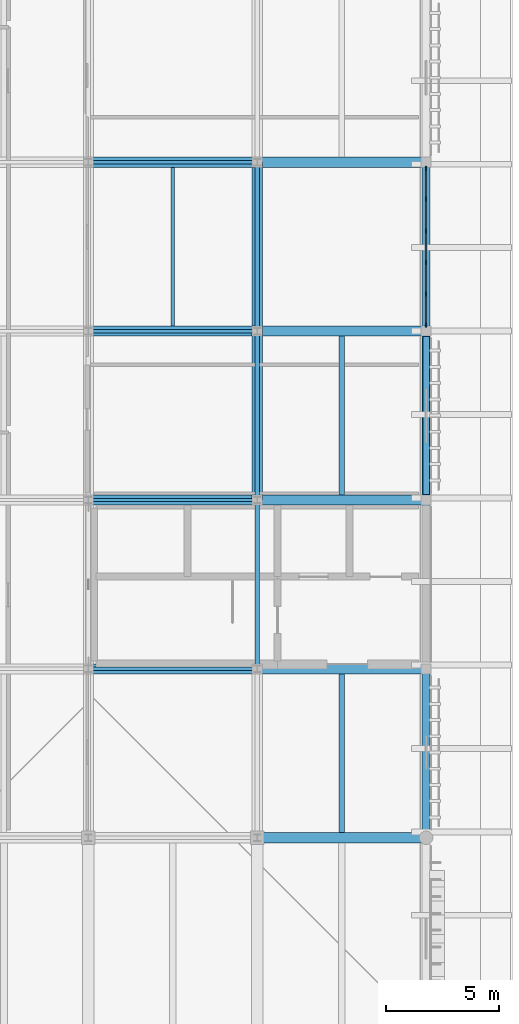
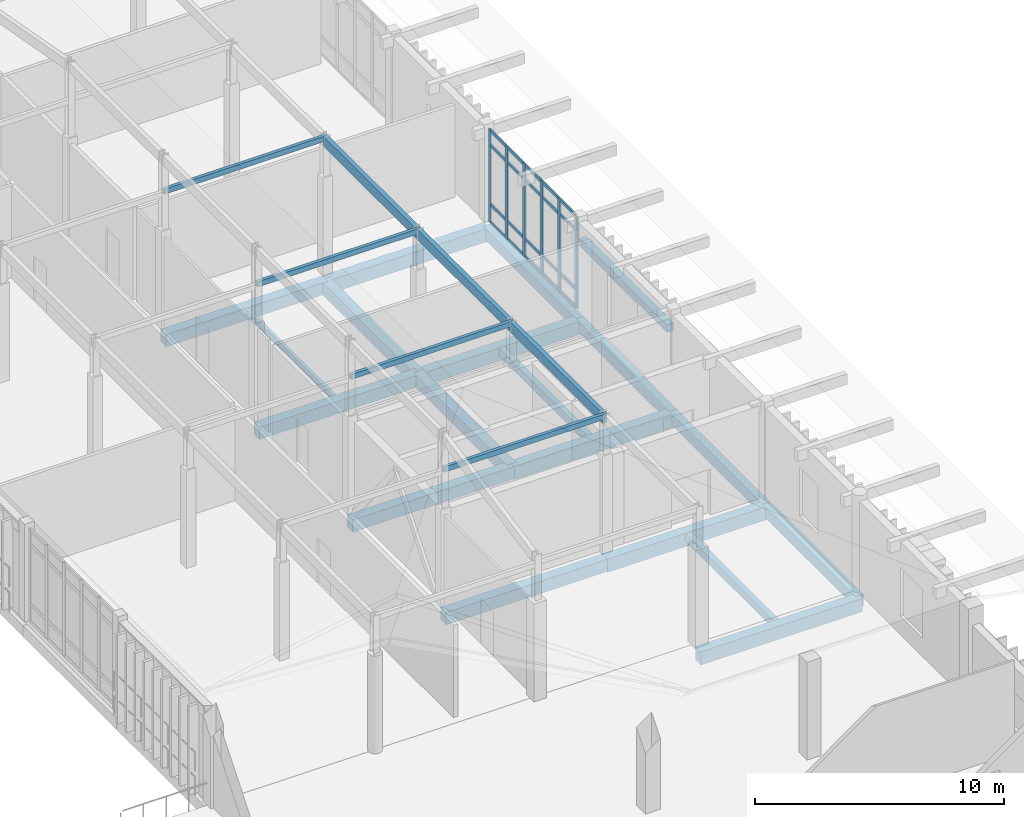
# One storey, part 68 of 131: 30 members, 22 beams, 1 element without a shape of its own.
"""IFC4 building model written with IfcOpenShell, lengths in metres."""

from ifc_helpers import new_model, si_unit, direction, frame, origin, origin_2d, place, context, subcontext, project, spatial, rectangle, hollow_rectangle, i_section, extrude, material, layer, layer_set, material_profile, profile_set, type_object, element, aggregate, save


model = new_model("IFC4")

# Units and contexts
model_context = context("Model", 3, precision=1e-05, world=origin(), true_north=direction((0.0, 1.0)))
body_context = subcontext(model_context, "Body", "Model", "MODEL_VIEW")
ifc_project = project(units=[si_unit("LENGTHUNIT", "METRE"), si_unit("AREAUNIT", "SQUARE_METRE"), si_unit("VOLUMEUNIT", "CUBIC_METRE"), si_unit("PLANEANGLEUNIT", "RADIAN"), si_unit("MASSUNIT", "GRAM", prefix="KILO")], contexts=[model_context])

# Site, building, storey
site_placement = place(None, origin())
site = spatial("IfcSite", under=ifc_project, at=site_placement, CompositionType="ELEMENT")
building_placement = place(site_placement, origin())
building = spatial("IfcBuilding", under=site, at=building_placement, Name="Dalvernix Boulevard General Hospital", CompositionType="ELEMENT")
storey_placement = place(building_placement, frame((0.0, 0.0, 9.300048828125)))
storey = spatial("IfcBuildingStorey", under=building, at=storey_placement, Name="L02", CompositionType="ELEMENT", Elevation=9.300048828125)

# Beams
ifc_material_1 = material(Name="Concrete C35/45", Category="concrete")
ifc_material_profile_1 = material_profile(ifc_material_1, rectangle(XDim=0.449951171875, YDim=0.64990234375, at=origin_2d()), Name="RCB 450x650")
ifc_profile_set_1 = profile_set([ifc_material_profile_1], Name="Concrete C35/45")
beam_type_1 = type_object("IfcBeamType", Name="BM-B-03-I", PredefinedType="BEAM", material=ifc_profile_set_1)
for number, where, z_axis, x_axis, name in (
    (1, (165.0, 31.5, -0.64501953125), (1.0, 0.0, 0.0), (0.0, 1.0, 0.0), "L02 E-W girder E:23-24"),
    (2, (165.0, 39.0, -0.64501953125), (1.0, 0.0, 0.0), (0.0, 1.0, 0.0), "L02 E-W girder F:23-24"),
    (3, (165.0, 46.5, -0.64501953125), (1.0, 0.0, 0.0), (0.0, 1.0, 0.0), "L02 E-W girder G:23-24"),
    (4, (165.0, 54.0, -0.64501953125), (1.0, 0.0, 0.0), (0.0, 1.0, 0.0), "L02 E-W girder H:23-24"),
    (5, (165.0, 61.5, -0.64501953125), (1.0, 0.0, 0.0), (0.0, 1.0, 0.0), "L02 E-W girder J:23-24"),
):
    element("IfcBeam", number, at=place(storey_placement, frame(where, z_axis=z_axis, x_axis=x_axis)), inside=storey, type_object=beam_type_1, Name=name, PredefinedType="BEAM", context=body_context, shape_type="SweptSolid", body=[
        extrude(rectangle(XDim=0.449951171875, YDim=0.64990234375, at=origin_2d()), origin(), (0.0, 0.0, 1.0), 7.5),
    ])
ifc_material_profile_2 = material_profile(ifc_material_1, rectangle(XDim=0.449951171875, YDim=0.60009765625, at=origin_2d()), Name="RCB 450x600")
ifc_profile_set_2 = profile_set([ifc_material_profile_2], Name="Concrete C35/45")
beam_type_2 = type_object("IfcBeamType", Name="BM-B-04-I", PredefinedType="BEAM", material=ifc_profile_set_2)
for number, where, z_axis, x_axis, name in (
    (6, (157.5, 39.0, -0.6201171875), (1.0, 0.0, 0.0), (0.0, 1.0, 0.0), "L02 E-W girder F:22-23"),
    (7, (157.5, 46.5, -0.6201171875), (1.0, 0.0, 0.0), (0.0, 1.0, 0.0), "L02 E-W girder G:22-23"),
    (8, (157.5, 54.0, -0.6201171875), (1.0, 0.0, 0.0), (0.0, 1.0, 0.0), "L02 E-W girder H:22-23"),
    (9, (157.5, 61.5, -0.6201171875), (1.0, 0.0, 0.0), (0.0, 1.0, 0.0), "L02 E-W girder J:22-23"),
    (10, (165.0, 46.5, -0.6201171875), (0.0, 1.0, 0.0), (-1.0, 0.0, 0.0), "L02 N-S girder 23:G-H"),
    (11, (165.0, 54.0, -0.6201171875), (0.0, 1.0, 0.0), (-1.0, 0.0, 0.0), "L02 N-S girder 23:H-J"),
):
    element("IfcBeam", number, at=place(storey_placement, frame(where, z_axis=z_axis, x_axis=x_axis)), inside=storey, type_object=beam_type_2, Name=name, PredefinedType="BEAM", context=body_context, shape_type="SweptSolid", body=[
        extrude(rectangle(XDim=0.449951171875, YDim=0.60009765625, at=origin_2d()), origin(), (0.0, 0.0, 1.0), 7.5),
    ])
ifc_material_2 = material(Name="Glulam GL28h", Category="wood")
ifc_material_profile_3 = material_profile(ifc_material_2, rectangle(XDim=0.199951171875, YDim=0.47998046875, at=origin_2d()), Name="GL28h 200x480")
ifc_profile_set_3 = profile_set([ifc_material_profile_3], Name="Glulam GL28h")
beam_type_3 = type_object("IfcBeamType", Name="BM-GB-T3", PredefinedType="JOIST", material=ifc_profile_set_3)
for number, where, z_axis, x_axis, name in (
    (12, (165.0, 39.0, 6.469970703125), (0.0, 1.0, 0.0), (-1.0, 0.0, 0.0), "V2 pitched glulam rafter 23:F-G"),
    (13, (165.0, 46.5, 6.469970703125), (0.0, 1.0, 0.0), (-1.0, 0.0, 0.0), "V2 pitched glulam rafter 23:G-H"),
    (14, (165.0, 54.0, 6.469970703125), (0.0, 1.0, 0.0), (-1.0, 0.0, 0.0), "V2 pitched glulam rafter 23:H-J"),
):
    element("IfcBeam", number, at=place(storey_placement, frame(where, z_axis=z_axis, x_axis=x_axis)), inside=storey, type_object=beam_type_3, Name=name, PredefinedType="JOIST", context=body_context, shape_type="SweptSolid", body=[
        extrude(rectangle(XDim=0.199951171875, YDim=0.47998046875, at=origin_2d()), origin(), (0.0, 0.0, 1.0), 7.5),
    ])
ifc_material_profile_4 = material_profile(ifc_material_1, rectangle(XDim=0.25, YDim=0.39990234375, at=origin_2d()), Name="RCB 250x400")
ifc_profile_set_4 = profile_set([ifc_material_profile_4], Name="Concrete C35/45")
beam_type_4 = type_object("IfcBeamType", Name="BM-JB-02", PredefinedType="JOIST", material=ifc_profile_set_4)
for number, where, z_axis, x_axis, name in (
    (15, (168.75, 31.72509765625, -0.52001953125), (0.0, 1.0, 0.0), (-1.0, 0.0, 0.0), "L02 secondary floor beam 23-E"),
    (16, (168.75, 46.72509765625, -0.52001953125), (0.0, 1.0, 0.0), (-1.0, 0.0, 0.0), "L02 secondary floor beam 23-G"),
):
    element("IfcBeam", number, at=place(storey_placement, frame(where, z_axis=z_axis, x_axis=x_axis)), inside=storey, type_object=beam_type_4, Name=name, PredefinedType="JOIST", context=body_context, shape_type="SweptSolid", body=[
        extrude(rectangle(XDim=0.25, YDim=0.39990234375, at=origin_2d()), origin(), (0.0, 0.0, 1.0), 7.0498046875),
    ])
ifc_material_3 = material(Name="Steel S355", Category="steel")
ifc_material_profile_5 = material_profile(ifc_material_3, i_section(OverallWidth=0.14990234375, OverallDepth=0.300048828125, WebThickness=0.007080078125, FlangeThickness=0.0107421875, FilletRadius=0.014892578125, at=origin_2d()), Name="IPE 300")
ifc_profile_set_5 = profile_set([ifc_material_profile_5], Name="Steel S355")
beam_type_5 = type_object("IfcBeamType", Name="BM-JB-03", PredefinedType="JOIST", material=ifc_profile_set_5)
beam_1_placement = place(storey_placement, frame((161.25, 54.22509765625, -0.469970703125), z_axis=(0.0, 1.0, 0.0), x_axis=(-1.0, 0.0, 0.0)))
element("IfcBeam", 17, at=beam_1_placement, inside=storey, type_object=beam_type_5, Name="L02 secondary floor beam 22-H", PredefinedType="JOIST", context=body_context, shape_type="SweptSolid", body=[
    extrude(i_section(OverallWidth=0.14990234375, OverallDepth=0.300048828125, WebThickness=0.007080078125, FlangeThickness=0.0107421875, FilletRadius=0.014892578125, at=origin_2d()), origin(), (0.0, 0.0, 1.0), 7.0498046875),
])
ifc_material_4 = material(Name="Precast concrete C40/50", Category="concrete")
ifc_material_profile_6 = material_profile(ifc_material_4, rectangle(XDim=0.300048828125, YDim=0.3798828125, at=origin_2d()), Name="RCL 300x380")
ifc_profile_set_6 = profile_set([ifc_material_profile_6], Name="Precast concrete C40/50")
beam_type_6 = type_object("IfcBeamType", Name="BM-LB-02", PredefinedType="LINTEL", material=ifc_profile_set_6)
beam_2_placement = place(storey_placement, frame((172.5, 53.764892578125, 3.58984375), z_axis=(0.0, -1.0, 0.0), x_axis=(1.0, 0.0, 0.0)))
element("IfcBeam", 18, at=beam_2_placement, inside=storey, type_object=beam_type_6, Name="L02 precast window lintel E 23-6", PredefinedType="LINTEL", context=body_context, shape_type="SweptSolid", body=[
    extrude(rectangle(XDim=0.300048828125, YDim=0.3798828125, at=origin_2d()), origin(), (0.0, 0.0, 1.0), 7.02978515625),
])
ifc_material_profile_7 = material_profile(ifc_material_1, rectangle(XDim=0.35009765625, YDim=0.550048828125, at=origin_2d()), Name="RCB 350x550")
ifc_profile_set_7 = profile_set([ifc_material_profile_7], Name="Concrete C35/45")
beam_type_7 = type_object("IfcBeamType", Name="BM-SB-01-E", PredefinedType="SPANDREL", material=ifc_profile_set_7)
for number, where, z_axis, x_axis, name in (
    (19, (172.5, 31.5, -0.594970703125), (0.0, 1.0, 0.0), (-1.0, 0.0, 0.0), "L02 N-S girder 24:E-F"),
    (20, (172.5, 39.0, -0.594970703125), (0.0, 1.0, 0.0), (-1.0, 0.0, 0.0), "L02 N-S girder 24:F-G"),
    (21, (172.5, 46.5, -0.594970703125), (0.0, 1.0, 0.0), (-1.0, 0.0, 0.0), "L02 N-S girder 24:G-H"),
    (22, (172.5, 54.0, -0.594970703125), (0.0, 1.0, 0.0), (-1.0, 0.0, 0.0), "L02 N-S girder 24:H-J"),
):
    element("IfcBeam", number, at=place(storey_placement, frame(where, z_axis=z_axis, x_axis=x_axis)), inside=storey, type_object=beam_type_7, Name=name, PredefinedType="SPANDREL", context=body_context, shape_type="SweptSolid", body=[
        extrude(rectangle(XDim=0.35009765625, YDim=0.550048828125, at=origin_2d()), origin(), (0.0, 0.0, 1.0), 7.5),
    ])

# Curtain wall, members
ifc_material_5 = material(Name="Thermally broken aluminium and solar-control glass curtain wall", Category="aluminium")
ifc_layer = layer(ifc_material_5, 0.199951171875)
ifc_layer_set = layer_set([ifc_layer], Name="Thermally broken aluminium and solar-control glass curtain wall (CW-CW-C-70x46)")
curtain_wall_type = type_object("IfcCurtainWallType", Name="CW-CW-C-70x46", PredefinedType="USERDEFINED", material=ifc_layer_set)
curtain_wall_placement = place(storey_placement, origin())
curtain_wall = element("IfcCurtainWall", 23, at=curtain_wall_placement, inside=storey, type_object=curtain_wall_type, Name="L02 curtain wall CW-C-70x46 23-7", ObjectType="GLAZED FACADE", PredefinedType="USERDEFINED")
ifc_material_6 = material(Name="Aluminium EN AW-6060", Category="aluminium")
ifc_material_profile_8 = material_profile(ifc_material_6, rectangle(XDim=0.070068359375, YDim=0.199951171875, at=origin_2d()), Name="ALU MULL 70x200")
ifc_profile_set_8 = profile_set([ifc_material_profile_8], Name="Aluminium EN AW-6060")
member_type_1 = type_object("IfcMemberType", Name="MEM-CW-M3", PredefinedType="MULLION", material=ifc_profile_set_8)
member_1_placement = place(storey_placement, frame((172.5, 61.22998046875, 0.0), z_axis=(0.0, 0.0, 1.0), x_axis=(1.0, 0.0, 0.0)))
member_1 = element("IfcMember", 24, at=member_1_placement, type_object=member_type_1, Name="CW-C-70x46 mullion 1", PredefinedType="MULLION", context=body_context, shape_type="SweptSolid", body=[
    extrude(rectangle(XDim=0.070068359375, YDim=0.199951171875, at=origin_2d()), origin(), (0.0, 0.0, 1.0), 4.550048828125),
])
member_2_placement = place(storey_placement, frame((172.5, 59.85888671875, 0.0), z_axis=(0.0, 0.0, 1.0), x_axis=(1.0, 0.0, 0.0)))
member_2 = element("IfcMember", 25, at=member_2_placement, type_object=member_type_1, Name="CW-C-70x46 mullion 2", PredefinedType="MULLION", context=body_context, shape_type="SweptSolid", body=[
    extrude(rectangle(XDim=0.070068359375, YDim=0.199951171875, at=origin_2d()), origin(), (0.0, 0.0, 1.0), 4.550048828125),
])
member_3_placement = place(storey_placement, frame((172.5, 58.452880859375, 0.0), z_axis=(0.0, 0.0, 1.0), x_axis=(1.0, 0.0, 0.0)))
member_3 = element("IfcMember", 26, at=member_3_placement, type_object=member_type_1, Name="CW-C-70x46 mullion 3", PredefinedType="MULLION", context=body_context, shape_type="SweptSolid", body=[
    extrude(rectangle(XDim=0.070068359375, YDim=0.199951171875, at=origin_2d()), origin(), (0.0, 0.0, 1.0), 4.550048828125),
])
member_4_placement = place(storey_placement, frame((172.5, 57.047119140625, 0.0), z_axis=(0.0, 0.0, 1.0), x_axis=(1.0, 0.0, 0.0)))
member_4 = element("IfcMember", 27, at=member_4_placement, type_object=member_type_1, Name="CW-C-70x46 mullion 4", PredefinedType="MULLION", context=body_context, shape_type="SweptSolid", body=[
    extrude(rectangle(XDim=0.070068359375, YDim=0.199951171875, at=origin_2d()), origin(), (0.0, 0.0, 1.0), 4.550048828125),
])
member_5_placement = place(storey_placement, frame((172.5, 55.64111328125, 0.0), z_axis=(0.0, 0.0, 1.0), x_axis=(1.0, 0.0, 0.0)))
member_5 = element("IfcMember", 28, at=member_5_placement, type_object=member_type_1, Name="CW-C-70x46 mullion 5", PredefinedType="MULLION", context=body_context, shape_type="SweptSolid", body=[
    extrude(rectangle(XDim=0.070068359375, YDim=0.199951171875, at=origin_2d()), origin(), (0.0, 0.0, 1.0), 4.550048828125),
])
member_6_placement = place(storey_placement, frame((172.5, 54.27001953125, 0.0), z_axis=(0.0, 0.0, 1.0), x_axis=(1.0, 0.0, 0.0)))
member_6 = element("IfcMember", 29, at=member_6_placement, type_object=member_type_1, Name="CW-C-70x46 mullion 6", PredefinedType="MULLION", context=body_context, shape_type="SweptSolid", body=[
    extrude(rectangle(XDim=0.070068359375, YDim=0.199951171875, at=origin_2d()), origin(), (0.0, 0.0, 1.0), 4.550048828125),
])
ifc_material_profile_9 = material_profile(ifc_material_6, rectangle(XDim=0.070068359375, YDim=0.14990234375, at=origin_2d()), Name="ALU TRAN 70x150")
ifc_profile_set_9 = profile_set([ifc_material_profile_9], Name="Aluminium EN AW-6060")
member_type_2 = type_object("IfcMemberType", Name="MEM-CW-T3", PredefinedType="USERDEFINED", material=ifc_profile_set_9)
member_7_placement = place(storey_placement, frame((172.5, 61.195068359375, 0.034912109375), z_axis=(0.0, -1.0, 0.0), x_axis=(1.0, 0.0, 0.0)))
member_7 = element("IfcMember", 30, at=member_7_placement, type_object=member_type_2, Name="CW-C-70x46 transom 1.1", ObjectType="TRANSOM", PredefinedType="USERDEFINED", context=body_context, shape_type="SweptSolid", body=[
    extrude(rectangle(XDim=0.070068359375, YDim=0.14990234375, at=origin_2d()), origin(), (0.0, 0.0, 1.0), 1.301025390625),
])
member_8_placement = place(storey_placement, frame((172.5, 61.195068359375, 0.89990234375), z_axis=(0.0, -1.0, 0.0), x_axis=(1.0, 0.0, 0.0)))
member_8 = element("IfcMember", 31, at=member_8_placement, type_object=member_type_2, Name="CW-C-70x46 transom 1.2", ObjectType="TRANSOM", PredefinedType="USERDEFINED", context=body_context, shape_type="SweptSolid", body=[
    extrude(rectangle(XDim=0.070068359375, YDim=0.14990234375, at=origin_2d()), origin(), (0.0, 0.0, 1.0), 1.301025390625),
])
member_9_placement = place(storey_placement, frame((172.5, 61.195068359375, 3.800048828125), z_axis=(0.0, -1.0, 0.0), x_axis=(1.0, 0.0, 0.0)))
member_9 = element("IfcMember", 32, at=member_9_placement, type_object=member_type_2, Name="CW-C-70x46 transom 1.3", ObjectType="TRANSOM", PredefinedType="USERDEFINED", context=body_context, shape_type="SweptSolid", body=[
    extrude(rectangle(XDim=0.070068359375, YDim=0.14990234375, at=origin_2d()), origin(), (0.0, 0.0, 1.0), 1.301025390625),
])
member_10_placement = place(storey_placement, frame((172.5, 61.195068359375, 4.514892578125), z_axis=(0.0, -1.0, 0.0), x_axis=(1.0, 0.0, 0.0)))
member_10 = element("IfcMember", 33, at=member_10_placement, type_object=member_type_2, Name="CW-C-70x46 transom 1.4", ObjectType="TRANSOM", PredefinedType="USERDEFINED", context=body_context, shape_type="SweptSolid", body=[
    extrude(rectangle(XDim=0.070068359375, YDim=0.14990234375, at=origin_2d()), origin(), (0.0, 0.0, 1.0), 1.301025390625),
])
member_11_placement = place(storey_placement, frame((172.5, 59.823974609375, 0.034912109375), z_axis=(0.0, -1.0, 0.0), x_axis=(1.0, 0.0, 0.0)))
member_11 = element("IfcMember", 34, at=member_11_placement, type_object=member_type_2, Name="CW-C-70x46 transom 2.1", ObjectType="TRANSOM", PredefinedType="USERDEFINED", context=body_context, shape_type="SweptSolid", body=[
    extrude(rectangle(XDim=0.070068359375, YDim=0.14990234375, at=origin_2d()), origin(), (0.0, 0.0, 1.0), 1.3359375),
])
member_12_placement = place(storey_placement, frame((172.5, 59.823974609375, 0.89990234375), z_axis=(0.0, -1.0, 0.0), x_axis=(1.0, 0.0, 0.0)))
member_12 = element("IfcMember", 35, at=member_12_placement, type_object=member_type_2, Name="CW-C-70x46 transom 2.2", ObjectType="TRANSOM", PredefinedType="USERDEFINED", context=body_context, shape_type="SweptSolid", body=[
    extrude(rectangle(XDim=0.070068359375, YDim=0.14990234375, at=origin_2d()), origin(), (0.0, 0.0, 1.0), 1.3359375),
])
member_13_placement = place(storey_placement, frame((172.5, 59.823974609375, 3.800048828125), z_axis=(0.0, -1.0, 0.0), x_axis=(1.0, 0.0, 0.0)))
member_13 = element("IfcMember", 36, at=member_13_placement, type_object=member_type_2, Name="CW-C-70x46 transom 2.3", ObjectType="TRANSOM", PredefinedType="USERDEFINED", context=body_context, shape_type="SweptSolid", body=[
    extrude(rectangle(XDim=0.070068359375, YDim=0.14990234375, at=origin_2d()), origin(), (0.0, 0.0, 1.0), 1.3359375),
])
member_14_placement = place(storey_placement, frame((172.5, 59.823974609375, 4.514892578125), z_axis=(0.0, -1.0, 0.0), x_axis=(1.0, 0.0, 0.0)))
member_14 = element("IfcMember", 37, at=member_14_placement, type_object=member_type_2, Name="CW-C-70x46 transom 2.4", ObjectType="TRANSOM", PredefinedType="USERDEFINED", context=body_context, shape_type="SweptSolid", body=[
    extrude(rectangle(XDim=0.070068359375, YDim=0.14990234375, at=origin_2d()), origin(), (0.0, 0.0, 1.0), 1.3359375),
])
member_15_placement = place(storey_placement, frame((172.5, 58.41796875, 0.034912109375), z_axis=(0.0, -1.0, 0.0), x_axis=(1.0, 0.0, 0.0)))
member_15 = element("IfcMember", 38, at=member_15_placement, type_object=member_type_2, Name="CW-C-70x46 transom 3.1", ObjectType="TRANSOM", PredefinedType="USERDEFINED", context=body_context, shape_type="SweptSolid", body=[
    extrude(rectangle(XDim=0.070068359375, YDim=0.14990234375, at=origin_2d()), origin(), (0.0, 0.0, 1.0), 1.3359375),
])
member_16_placement = place(storey_placement, frame((172.5, 58.41796875, 0.89990234375), z_axis=(0.0, -1.0, 0.0), x_axis=(1.0, 0.0, 0.0)))
member_16 = element("IfcMember", 39, at=member_16_placement, type_object=member_type_2, Name="CW-C-70x46 transom 3.2", ObjectType="TRANSOM", PredefinedType="USERDEFINED", context=body_context, shape_type="SweptSolid", body=[
    extrude(rectangle(XDim=0.070068359375, YDim=0.14990234375, at=origin_2d()), origin(), (0.0, 0.0, 1.0), 1.3359375),
])
member_17_placement = place(storey_placement, frame((172.5, 58.41796875, 3.800048828125), z_axis=(0.0, -1.0, 0.0), x_axis=(1.0, 0.0, 0.0)))
member_17 = element("IfcMember", 40, at=member_17_placement, type_object=member_type_2, Name="CW-C-70x46 transom 3.3", ObjectType="TRANSOM", PredefinedType="USERDEFINED", context=body_context, shape_type="SweptSolid", body=[
    extrude(rectangle(XDim=0.070068359375, YDim=0.14990234375, at=origin_2d()), origin(), (0.0, 0.0, 1.0), 1.3359375),
])
member_18_placement = place(storey_placement, frame((172.5, 58.41796875, 4.514892578125), z_axis=(0.0, -1.0, 0.0), x_axis=(1.0, 0.0, 0.0)))
member_18 = element("IfcMember", 41, at=member_18_placement, type_object=member_type_2, Name="CW-C-70x46 transom 3.4", ObjectType="TRANSOM", PredefinedType="USERDEFINED", context=body_context, shape_type="SweptSolid", body=[
    extrude(rectangle(XDim=0.070068359375, YDim=0.14990234375, at=origin_2d()), origin(), (0.0, 0.0, 1.0), 1.3359375),
])
member_19_placement = place(storey_placement, frame((172.5, 57.011962890625, 0.034912109375), z_axis=(0.0, -1.0, 0.0), x_axis=(1.0, 0.0, 0.0)))
member_19 = element("IfcMember", 42, at=member_19_placement, type_object=member_type_2, Name="CW-C-70x46 transom 4.1", ObjectType="TRANSOM", PredefinedType="USERDEFINED", context=body_context, shape_type="SweptSolid", body=[
    extrude(rectangle(XDim=0.070068359375, YDim=0.14990234375, at=origin_2d()), origin(), (0.0, 0.0, 1.0), 1.3359375),
])
member_20_placement = place(storey_placement, frame((172.5, 57.011962890625, 0.89990234375), z_axis=(0.0, -1.0, 0.0), x_axis=(1.0, 0.0, 0.0)))
member_20 = element("IfcMember", 43, at=member_20_placement, type_object=member_type_2, Name="CW-C-70x46 transom 4.2", ObjectType="TRANSOM", PredefinedType="USERDEFINED", context=body_context, shape_type="SweptSolid", body=[
    extrude(rectangle(XDim=0.070068359375, YDim=0.14990234375, at=origin_2d()), origin(), (0.0, 0.0, 1.0), 1.3359375),
])
member_21_placement = place(storey_placement, frame((172.5, 57.011962890625, 3.800048828125), z_axis=(0.0, -1.0, 0.0), x_axis=(1.0, 0.0, 0.0)))
member_21 = element("IfcMember", 44, at=member_21_placement, type_object=member_type_2, Name="CW-C-70x46 transom 4.3", ObjectType="TRANSOM", PredefinedType="USERDEFINED", context=body_context, shape_type="SweptSolid", body=[
    extrude(rectangle(XDim=0.070068359375, YDim=0.14990234375, at=origin_2d()), origin(), (0.0, 0.0, 1.0), 1.3359375),
])
member_22_placement = place(storey_placement, frame((172.5, 57.011962890625, 4.514892578125), z_axis=(0.0, -1.0, 0.0), x_axis=(1.0, 0.0, 0.0)))
member_22 = element("IfcMember", 45, at=member_22_placement, type_object=member_type_2, Name="CW-C-70x46 transom 4.4", ObjectType="TRANSOM", PredefinedType="USERDEFINED", context=body_context, shape_type="SweptSolid", body=[
    extrude(rectangle(XDim=0.070068359375, YDim=0.14990234375, at=origin_2d()), origin(), (0.0, 0.0, 1.0), 1.3359375),
])
member_23_placement = place(storey_placement, frame((172.5, 55.60595703125, 0.034912109375), z_axis=(0.0, -1.0, 0.0), x_axis=(1.0, 0.0, 0.0)))
member_23 = element("IfcMember", 46, at=member_23_placement, type_object=member_type_2, Name="CW-C-70x46 transom 5.1", ObjectType="TRANSOM", PredefinedType="USERDEFINED", context=body_context, shape_type="SweptSolid", body=[
    extrude(rectangle(XDim=0.070068359375, YDim=0.14990234375, at=origin_2d()), origin(), (0.0, 0.0, 1.0), 1.301025390625),
])
member_24_placement = place(storey_placement, frame((172.5, 55.60595703125, 0.89990234375), z_axis=(0.0, -1.0, 0.0), x_axis=(1.0, 0.0, 0.0)))
member_24 = element("IfcMember", 47, at=member_24_placement, type_object=member_type_2, Name="CW-C-70x46 transom 5.2", ObjectType="TRANSOM", PredefinedType="USERDEFINED", context=body_context, shape_type="SweptSolid", body=[
    extrude(rectangle(XDim=0.070068359375, YDim=0.14990234375, at=origin_2d()), origin(), (0.0, 0.0, 1.0), 1.301025390625),
])
member_25_placement = place(storey_placement, frame((172.5, 55.60595703125, 3.800048828125), z_axis=(0.0, -1.0, 0.0), x_axis=(1.0, 0.0, 0.0)))
member_25 = element("IfcMember", 48, at=member_25_placement, type_object=member_type_2, Name="CW-C-70x46 transom 5.3", ObjectType="TRANSOM", PredefinedType="USERDEFINED", context=body_context, shape_type="SweptSolid", body=[
    extrude(rectangle(XDim=0.070068359375, YDim=0.14990234375, at=origin_2d()), origin(), (0.0, 0.0, 1.0), 1.301025390625),
])
member_26_placement = place(storey_placement, frame((172.5, 55.60595703125, 4.514892578125), z_axis=(0.0, -1.0, 0.0), x_axis=(1.0, 0.0, 0.0)))
member_26 = element("IfcMember", 49, at=member_26_placement, type_object=member_type_2, Name="CW-C-70x46 transom 5.4", ObjectType="TRANSOM", PredefinedType="USERDEFINED", context=body_context, shape_type="SweptSolid", body=[
    extrude(rectangle(XDim=0.070068359375, YDim=0.14990234375, at=origin_2d()), origin(), (0.0, 0.0, 1.0), 1.301025390625),
])
aggregate(curtain_wall, [member_1, member_2, member_3, member_4, member_5, member_6, member_7, member_8, member_9, member_10, member_11, member_12, member_13, member_14, member_15, member_16, member_17, member_18, member_19, member_20, member_21, member_22, member_23, member_24, member_25, member_26])

# Members
ifc_material_profile_10 = material_profile(ifc_material_3, hollow_rectangle(XDim=0.14990234375, YDim=0.25, WallThickness=0.010009765625, at=origin_2d()), Name="RHS 250x150x10.0")
ifc_profile_set_10 = profile_set([ifc_material_profile_10], Name="Steel S355")
member_type_3 = type_object("IfcMemberType", Name="MEM-PR-04", PredefinedType="PURLIN", material=ifc_profile_set_10)
for number, where, z_axis, x_axis, name in (
    (50, (157.5, 39.0, 6.594970703125), (1.0, 0.0, 0.0), (0.0, 1.0, 0.0), "V2 attic purlin 22-23:F"),
    (51, (157.5, 46.5, 6.594970703125), (1.0, 0.0, 0.0), (0.0, 1.0, 0.0), "V2 attic purlin 22-23:G"),
    (52, (157.5, 54.0, 6.594970703125), (1.0, 0.0, 0.0), (0.0, 1.0, 0.0), "V2 attic purlin 22-23:H"),
    (53, (157.5, 61.5, 6.594970703125), (1.0, 0.0, 0.0), (0.0, 1.0, 0.0), "V2 attic purlin 22-23:J"),
):
    element("IfcMember", number, at=place(storey_placement, frame(where, z_axis=z_axis, x_axis=x_axis)), inside=storey, type_object=member_type_3, Name=name, PredefinedType="PURLIN", context=body_context, shape_type="SweptSolid", body=[
        extrude(hollow_rectangle(XDim=0.14990234375, YDim=0.25, WallThickness=0.010009765625, at=origin_2d()), origin(), (0.0, 0.0, 1.0), 7.5),
    ])

save(model, "model.ifc")
